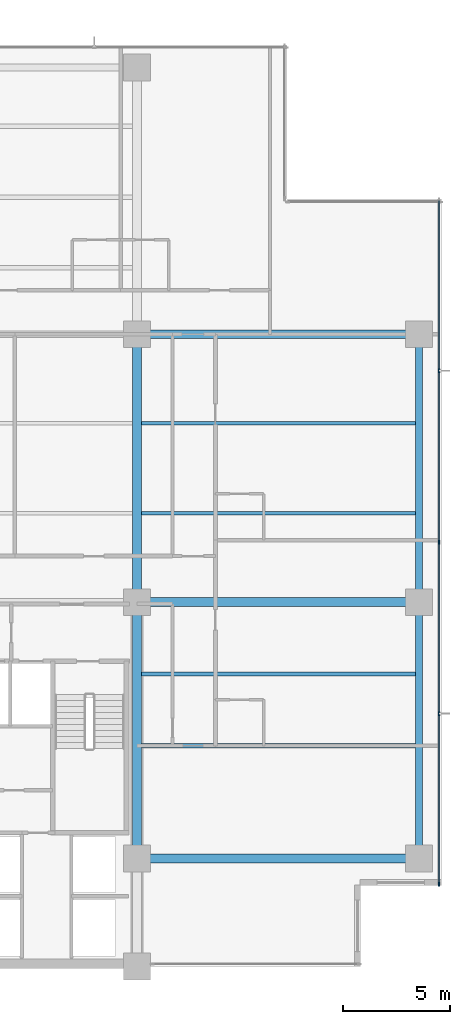
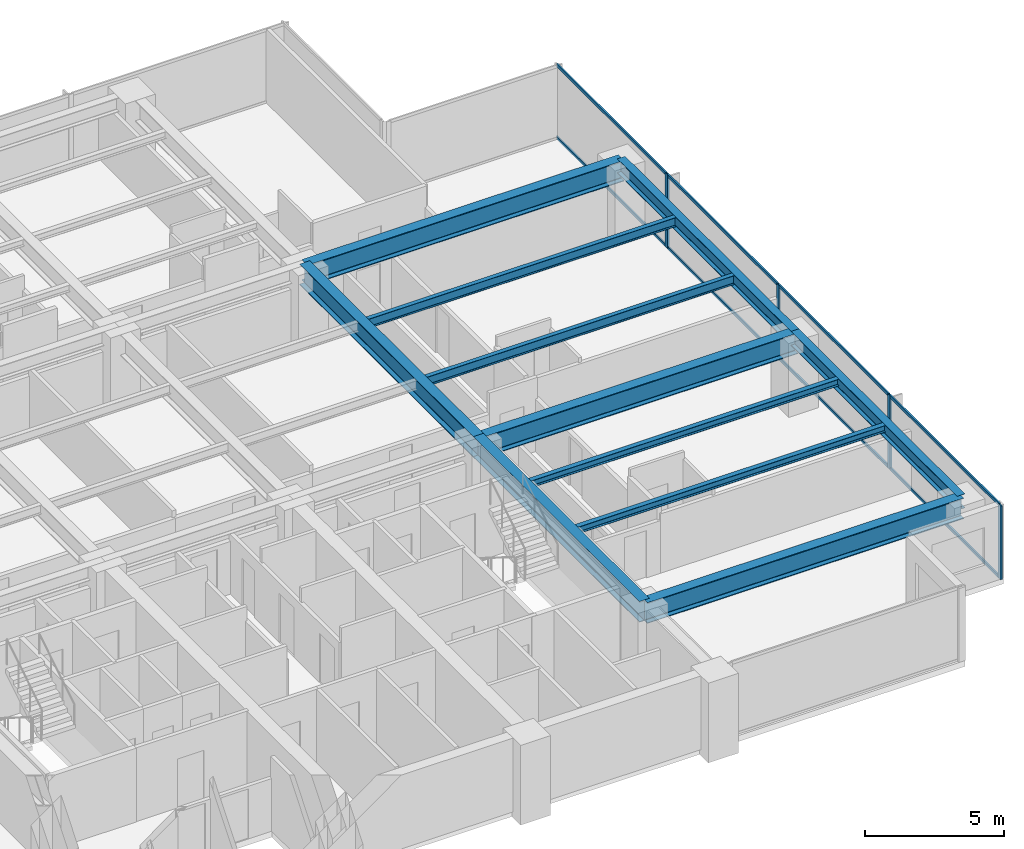
# One storey, part 4 of 17: 12 members, 11 beams, 1 element without a shape of its own.
"""IFC4 building model written with IfcOpenShell, lengths in metres."""

from ifc_helpers import new_model, si_unit, direction, frame, origin, origin_2d, place, context, subcontext, project, spatial, rectangle, i_section, extrude, material, layer, layer_set, material_profile, profile_set, type_object, element, aggregate, save


model = new_model("IFC4")

# Units and contexts
model_context = context("Model", 3, precision=1e-05, world=origin(), true_north=direction((0.0, 1.0)))
body_context = subcontext(model_context, "Body", "Model", "MODEL_VIEW")
ifc_project = project(units=[si_unit("LENGTHUNIT", "METRE"), si_unit("AREAUNIT", "SQUARE_METRE"), si_unit("VOLUMEUNIT", "CUBIC_METRE"), si_unit("PLANEANGLEUNIT", "RADIAN"), si_unit("MASSUNIT", "GRAM", prefix="KILO")], contexts=[model_context])

# Site, building, storey
site_placement = place(None, origin())
site = spatial("IfcSite", under=ifc_project, at=site_placement, CompositionType="ELEMENT")
building_placement = place(site_placement, origin())
building = spatial("IfcBuilding", under=site, at=building_placement, Name="Qalmaran Belvedere Hotel", CompositionType="ELEMENT")
storey_placement = place(building_placement, frame((0.0, 0.0, 98.699951171875)))
storey = spatial("IfcBuildingStorey", under=building, at=storey_placement, Name="L24", CompositionType="ELEMENT", Elevation=98.699951171875)

# Beams
ifc_material_1 = material(Name="Steel S355JR", Category="steel")
ifc_material_profile_1 = material_profile(ifc_material_1, i_section(OverallWidth=0.202880859375, OverallDepth=0.302978515625, WebThickness=0.007568359375, FlangeThickness=0.01318359375, FilletRadius=0.012939453125, at=origin_2d()), Name="W310X60")
ifc_profile_set_1 = profile_set([ifc_material_profile_1], Name="Steel S355JR")
beam_type_1 = type_object("IfcBeamType", Name="BM-JST-W310X60", PredefinedType="JOIST", material=ifc_profile_set_1)
for number, where, z_axis, x_axis, name in (
    (1, (45.007080078125, 13.800048828125, 3.088623046875), (1.0, 0.0, 0.0), (0.0, 1.0, 0.0), "L24 East Wing Joist 039"),
    (2, (45.007080078125, 17.14990234375, 3.088623046875), (1.0, 0.0, 0.0), (0.0, 1.0, 0.0), "L24 East Wing Joist 041"),
):
    element("IfcBeam", number, at=place(storey_placement, frame(where, z_axis=z_axis, x_axis=x_axis)), inside=storey, type_object=beam_type_1, Name=name, PredefinedType="JOIST", context=body_context, shape_type="SweptSolid", body=[
        extrude(i_section(OverallWidth=0.202880859375, OverallDepth=0.302978515625, WebThickness=0.007568359375, FlangeThickness=0.01318359375, FilletRadius=0.012939453125, at=origin_2d()), origin(), (0.0, 0.0, 1.0), 12.781494140625),
    ])
ifc_material_profile_2 = material_profile(ifc_material_1, i_section(OverallWidth=0.41796875, OverallDepth=0.912109375, WebThickness=0.019287109375, FlangeThickness=0.031982421875, FilletRadius=0.02392578125, at=origin_2d()), Name="W920X342")
ifc_profile_set_2 = profile_set([ifc_material_profile_2], Name="Steel S355JR")
beam_type_2 = type_object("IfcBeamType", Name="BM-PG2-W920X342", PredefinedType="USERDEFINED", material=ifc_profile_set_2)
beam_1_placement = place(storey_placement, frame((44.800048828125, 20.5, 2.783935546875), z_axis=(0.0, 1.0, 0.0), x_axis=(-1.0, 0.0, 0.0)))
element("IfcBeam", 3, at=beam_1_placement, inside=storey, type_object=beam_type_2, Name="L24 Mid-Plate N-S Girder 20", ObjectType="GIRDER", PredefinedType="USERDEFINED", context=body_context, shape_type="SweptSolid", body=[
    extrude(i_section(OverallWidth=0.41796875, OverallDepth=0.912109375, WebThickness=0.019287109375, FlangeThickness=0.031982421875, FilletRadius=0.02392578125, at=origin_2d()), origin(), (0.0, 0.0, 1.0), 12.5),
])
beam_2_placement = place(storey_placement, frame((44.800048828125, 8.550048828125, 2.783935546875), z_axis=(0.0, 1.0, 0.0), x_axis=(-1.0, 0.0, 0.0)))
element("IfcBeam", 4, at=beam_2_placement, inside=storey, type_object=beam_type_2, Name="L24 East Core Edge Girder B", ObjectType="GIRDER", PredefinedType="USERDEFINED", context=body_context, shape_type="SweptSolid", body=[
    extrude(i_section(OverallWidth=0.41796875, OverallDepth=0.912109375, WebThickness=0.019287109375, FlangeThickness=0.031982421875, FilletRadius=0.02392578125, at=origin_2d()), origin(), (0.0, 0.0, 1.0), 11.949951171875),
])
for number, where, z_axis, x_axis, name in (
    (5, (44.800048828125, 8.550048828125, 2.783935546875), (1.0, 0.0, 0.0), (0.0, 1.0, 0.0), "L24 East Wing Girder 25"),
    (6, (44.800048828125, 20.5, 2.783935546875), (1.0, 0.0, 0.0), (0.0, 1.0, 0.0), "L24 East Wing Girder 26"),
    (7, (44.800048828125, 33.0, 2.783935546875), (1.0, 0.0, 0.0), (0.0, 1.0, 0.0), "L24 East Wing Girder 27"),
):
    element("IfcBeam", number, at=place(storey_placement, frame(where, z_axis=z_axis, x_axis=x_axis)), inside=storey, type_object=beam_type_2, Name=name, ObjectType="GIRDER", PredefinedType="USERDEFINED", context=body_context, shape_type="SweptSolid", body=[
        extrude(i_section(OverallWidth=0.41796875, OverallDepth=0.912109375, WebThickness=0.019287109375, FlangeThickness=0.031982421875, FilletRadius=0.02392578125, at=origin_2d()), origin(), (0.0, 0.0, 1.0), 13.14990234375),
    ])
ifc_material_profile_3 = material_profile(ifc_material_1, i_section(OverallWidth=0.177978515625, OverallDepth=0.406982421875, WebThickness=0.0078125, FlangeThickness=0.0126953125, FilletRadius=0.014892578125, at=origin_2d()), Name="W410X60")
ifc_profile_set_3 = profile_set([ifc_material_profile_3], Name="Steel S355JR")
beam_type_3 = type_object("IfcBeamType", Name="BM-SB2-W410X60", PredefinedType="BEAM", material=ifc_profile_set_3)
for number, where, z_axis, x_axis, name in (
    (8, (45.007080078125, 24.64990234375, 3.03662109375), (1.0, 0.0, 0.0), (0.0, 1.0, 0.0), "L24 East Secondary Beam 032"),
    (9, (45.007080078125, 28.85009765625, 3.03662109375), (1.0, 0.0, 0.0), (0.0, 1.0, 0.0), "L24 East Secondary Beam 037"),
):
    element("IfcBeam", number, at=place(storey_placement, frame(where, z_axis=z_axis, x_axis=x_axis)), inside=storey, type_object=beam_type_3, Name=name, PredefinedType="BEAM", context=body_context, shape_type="SweptSolid", body=[
        extrude(i_section(OverallWidth=0.177978515625, OverallDepth=0.406982421875, WebThickness=0.0078125, FlangeThickness=0.0126953125, FilletRadius=0.014892578125, at=origin_2d()), origin(), (0.0, 0.0, 1.0), 12.781494140625),
    ])
ifc_material_profile_4 = material_profile(ifc_material_1, i_section(OverallWidth=0.326904296875, OverallDepth=0.6220703125, WebThickness=0.015380859375, FlangeThickness=0.0244140625, FilletRadius=0.02001953125, at=origin_2d()), Name="W610X195")
ifc_profile_set_4 = profile_set([ifc_material_profile_4], Name="Steel S355JR")
beam_type_4 = type_object("IfcBeamType", Name="BM-SP1-W610X195", PredefinedType="SPANDREL", material=ifc_profile_set_4)
beam_3_placement = place(storey_placement, frame((57.949951171875, 8.550048828125, 2.928955078125), z_axis=(0.0, 1.0, 0.0), x_axis=(-1.0, 0.0, 0.0)))
element("IfcBeam", 10, at=beam_3_placement, inside=storey, type_object=beam_type_4, Name="L24 Perimeter Spandrel 03", PredefinedType="SPANDREL", context=body_context, shape_type="SweptSolid", body=[
    extrude(i_section(OverallWidth=0.326904296875, OverallDepth=0.6220703125, WebThickness=0.015380859375, FlangeThickness=0.0244140625, FilletRadius=0.02001953125, at=origin_2d()), origin(), (0.0, 0.0, 1.0), 11.949951171875),
])
beam_4_placement = place(storey_placement, frame((57.949951171875, 20.5, 2.928955078125), z_axis=(0.0, 1.0, 0.0), x_axis=(-1.0, 0.0, 0.0)))
element("IfcBeam", 11, at=beam_4_placement, inside=storey, type_object=beam_type_4, Name="L24 Perimeter Spandrel 04", PredefinedType="SPANDREL", context=body_context, shape_type="SweptSolid", body=[
    extrude(i_section(OverallWidth=0.326904296875, OverallDepth=0.6220703125, WebThickness=0.015380859375, FlangeThickness=0.0244140625, FilletRadius=0.02001953125, at=origin_2d()), origin(), (0.0, 0.0, 1.0), 12.5),
])

# Curtain wall, members
ifc_material_2 = material(Name="Anodised Bronze Aluminium", Category="aluminium")
ifc_layer = layer(ifc_material_2, 0.199951171875, Name="Anodised Bronze Aluminium")
ifc_layer_set = layer_set([ifc_layer], Name="Anodised Bronze Aluminium")
curtain_wall_type = type_object("IfcCurtainWallType", Name="CW3-TOWER-LOWMID", PredefinedType="NOTDEFINED", material=ifc_layer_set)
curtain_wall_placement = place(storey_placement, origin())
curtain_wall = element("IfcCurtainWall", 12, at=curtain_wall_placement, inside=storey, type_object=curtain_wall_type, Name="L24 Curtain Wall CW3", PredefinedType="NOTDEFINED")
ifc_material_profile_5 = material_profile(ifc_material_2, rectangle(XDim=0.070068359375, YDim=0.18994140625, at=origin_2d()), Name="CWM70X190")
ifc_profile_set_5 = profile_set([ifc_material_profile_5], Name="Anodised Bronze Aluminium")
member_type_1 = type_object("IfcMemberType", Name="CWM-70X190", PredefinedType="MULLION", material=ifc_profile_set_5)
member_1_placement = place(storey_placement, frame((58.8798828125, 7.3349609375, 0.0), z_axis=(0.0, 0.0, 1.0), x_axis=(-1.0, 0.0, 0.0)))
member_1 = element("IfcMember", 13, at=member_1_placement, type_object=member_type_1, Name="CW3 mullion 1", PredefinedType="MULLION", context=body_context, shape_type="SweptSolid", body=[
    extrude(rectangle(XDim=0.070068359375, YDim=0.18994140625, at=origin_2d()), origin(), (0.0, 0.0, 1.0), 3.239990234375),
])
member_2_placement = place(storey_placement, frame((58.8798828125, 15.300048828125, 0.0), z_axis=(0.0, 0.0, 1.0), x_axis=(-1.0, 0.0, 0.0)))
member_2 = element("IfcMember", 14, at=member_2_placement, type_object=member_type_1, Name="CW3 mullion 2", PredefinedType="MULLION", context=body_context, shape_type="SweptSolid", body=[
    extrude(rectangle(XDim=0.070068359375, YDim=0.18994140625, at=origin_2d()), origin(), (0.0, 0.0, 1.0), 3.239990234375),
])
member_3_placement = place(storey_placement, frame((58.8798828125, 23.300048828125, 0.0), z_axis=(0.0, 0.0, 1.0), x_axis=(-1.0, 0.0, 0.0)))
member_3 = element("IfcMember", 15, at=member_3_placement, type_object=member_type_1, Name="CW3 mullion 3", PredefinedType="MULLION", context=body_context, shape_type="SweptSolid", body=[
    extrude(rectangle(XDim=0.070068359375, YDim=0.18994140625, at=origin_2d()), origin(), (0.0, 0.0, 1.0), 3.239990234375),
])
member_4_placement = place(storey_placement, frame((58.8798828125, 31.300048828125, 0.0), z_axis=(0.0, 0.0, 1.0), x_axis=(-1.0, 0.0, 0.0)))
member_4 = element("IfcMember", 16, at=member_4_placement, type_object=member_type_1, Name="CW3 mullion 4", PredefinedType="MULLION", context=body_context, shape_type="SweptSolid", body=[
    extrude(rectangle(XDim=0.070068359375, YDim=0.18994140625, at=origin_2d()), origin(), (0.0, 0.0, 1.0), 3.239990234375),
])
ifc_material_profile_6 = material_profile(ifc_material_2, rectangle(XDim=0.06494140625, YDim=0.1298828125, at=origin_2d()), Name="CWT65X130")
ifc_profile_set_6 = profile_set([ifc_material_profile_6], Name="Anodised Bronze Aluminium")
member_type_2 = type_object("IfcMemberType", Name="CWT-65X130", PredefinedType="USERDEFINED", material=ifc_profile_set_6)
member_5_placement = place(storey_placement, frame((58.8798828125, 7.3701171875, 0.032470703125), z_axis=(0.0, 1.0, 0.0), x_axis=(-1.0, 0.0, 0.0)))
member_5 = element("IfcMember", 17, at=member_5_placement, type_object=member_type_2, Name="CW3 transom 1.1", ObjectType="TRANSOM", PredefinedType="USERDEFINED", context=body_context, shape_type="SweptSolid", body=[
    extrude(rectangle(XDim=0.06494140625, YDim=0.1298828125, at=origin_2d()), origin(), (0.0, 0.0, 1.0), 7.894775390625),
])
member_6_placement = place(storey_placement, frame((58.8798828125, 7.3701171875, 3.20751953125), z_axis=(0.0, 1.0, 0.0), x_axis=(-1.0, 0.0, 0.0)))
member_6 = element("IfcMember", 18, at=member_6_placement, type_object=member_type_2, Name="CW3 transom 1.2", ObjectType="TRANSOM", PredefinedType="USERDEFINED", context=body_context, shape_type="SweptSolid", body=[
    extrude(rectangle(XDim=0.06494140625, YDim=0.1298828125, at=origin_2d()), origin(), (0.0, 0.0, 1.0), 7.894775390625),
])
member_7_placement = place(storey_placement, frame((58.8798828125, 15.3349609375, 0.032470703125), z_axis=(0.0, 1.0, 0.0), x_axis=(-1.0, 0.0, 0.0)))
member_7 = element("IfcMember", 19, at=member_7_placement, type_object=member_type_2, Name="CW3 transom 2.1", ObjectType="TRANSOM", PredefinedType="USERDEFINED", context=body_context, shape_type="SweptSolid", body=[
    extrude(rectangle(XDim=0.06494140625, YDim=0.1298828125, at=origin_2d()), origin(), (0.0, 0.0, 1.0), 7.929931640625),
])
member_8_placement = place(storey_placement, frame((58.8798828125, 15.3349609375, 3.20751953125), z_axis=(0.0, 1.0, 0.0), x_axis=(-1.0, 0.0, 0.0)))
member_8 = element("IfcMember", 20, at=member_8_placement, type_object=member_type_2, Name="CW3 transom 2.2", ObjectType="TRANSOM", PredefinedType="USERDEFINED", context=body_context, shape_type="SweptSolid", body=[
    extrude(rectangle(XDim=0.06494140625, YDim=0.1298828125, at=origin_2d()), origin(), (0.0, 0.0, 1.0), 7.929931640625),
])
member_9_placement = place(storey_placement, frame((58.8798828125, 23.3349609375, 0.032470703125), z_axis=(0.0, 1.0, 0.0), x_axis=(-1.0, 0.0, 0.0)))
member_9 = element("IfcMember", 21, at=member_9_placement, type_object=member_type_2, Name="CW3 transom 3.1", ObjectType="TRANSOM", PredefinedType="USERDEFINED", context=body_context, shape_type="SweptSolid", body=[
    extrude(rectangle(XDim=0.06494140625, YDim=0.1298828125, at=origin_2d()), origin(), (0.0, 0.0, 1.0), 7.929931640625),
])
member_10_placement = place(storey_placement, frame((58.8798828125, 23.3349609375, 3.20751953125), z_axis=(0.0, 1.0, 0.0), x_axis=(-1.0, 0.0, 0.0)))
member_10 = element("IfcMember", 22, at=member_10_placement, type_object=member_type_2, Name="CW3 transom 3.2", ObjectType="TRANSOM", PredefinedType="USERDEFINED", context=body_context, shape_type="SweptSolid", body=[
    extrude(rectangle(XDim=0.06494140625, YDim=0.1298828125, at=origin_2d()), origin(), (0.0, 0.0, 1.0), 7.929931640625),
])
member_11_placement = place(storey_placement, frame((58.8798828125, 31.3349609375, 0.032470703125), z_axis=(0.0, 1.0, 0.0), x_axis=(-1.0, 0.0, 0.0)))
member_11 = element("IfcMember", 23, at=member_11_placement, type_object=member_type_2, Name="CW3 transom 4.1", ObjectType="TRANSOM", PredefinedType="USERDEFINED", context=body_context, shape_type="SweptSolid", body=[
    extrude(rectangle(XDim=0.06494140625, YDim=0.1298828125, at=origin_2d()), origin(), (0.0, 0.0, 1.0), 7.89501953125),
])
member_12_placement = place(storey_placement, frame((58.8798828125, 31.3349609375, 3.20751953125), z_axis=(0.0, 1.0, 0.0), x_axis=(-1.0, 0.0, 0.0)))
member_12 = element("IfcMember", 24, at=member_12_placement, type_object=member_type_2, Name="CW3 transom 4.2", ObjectType="TRANSOM", PredefinedType="USERDEFINED", context=body_context, shape_type="SweptSolid", body=[
    extrude(rectangle(XDim=0.06494140625, YDim=0.1298828125, at=origin_2d()), origin(), (0.0, 0.0, 1.0), 7.89501953125),
])
aggregate(curtain_wall, [member_1, member_2, member_3, member_4, member_5, member_6, member_7, member_8, member_9, member_10, member_11, member_12])

save(model, "model.ifc")
